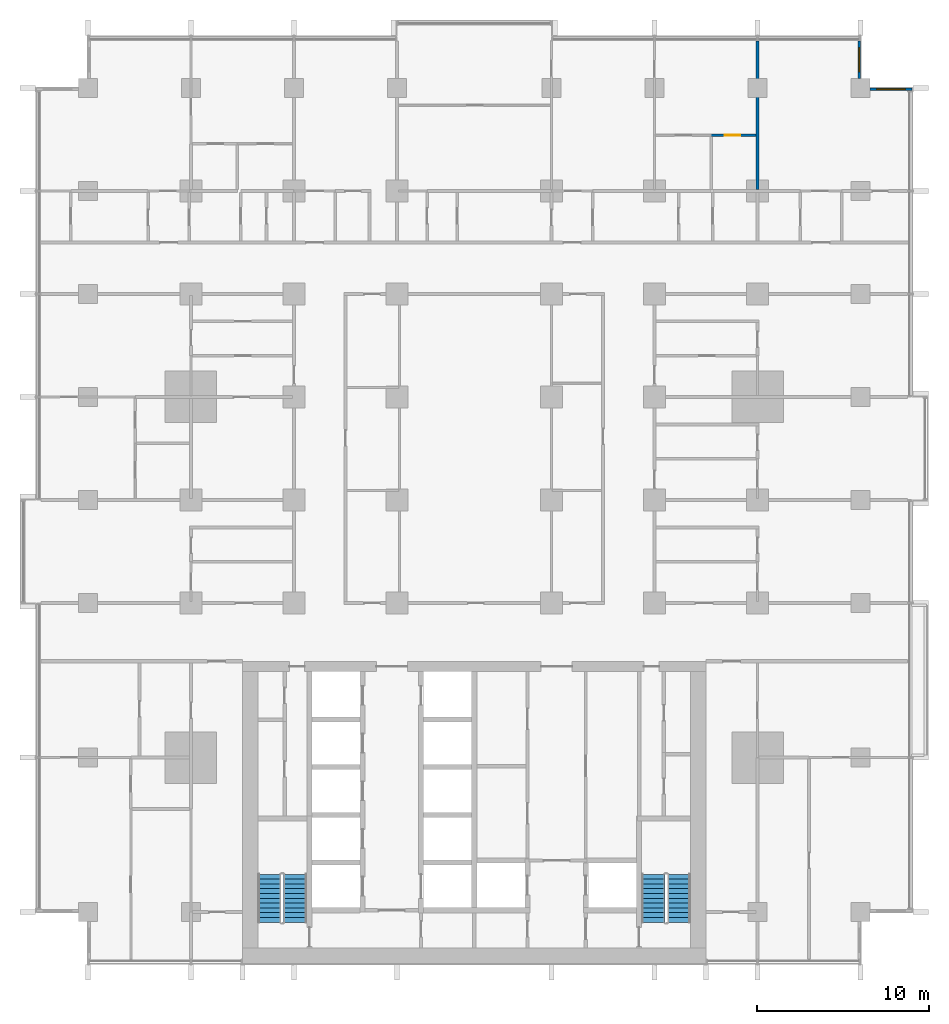
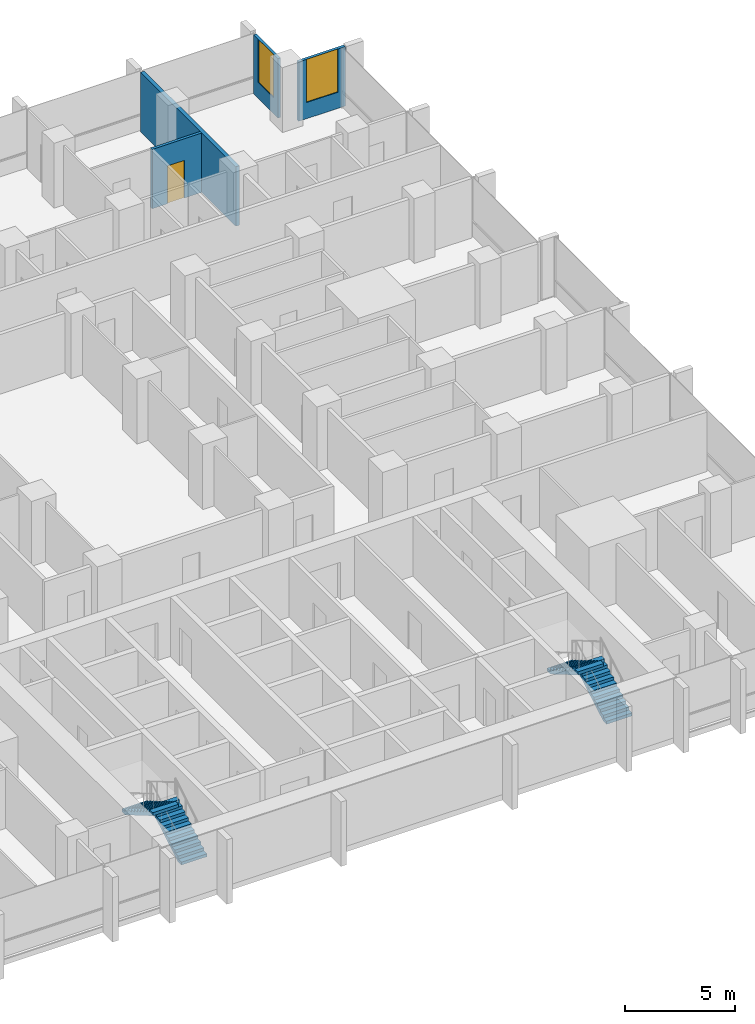
# One storey, part 13 of 18: 4 stair flights, 4 walls, 2 windows, 1 door, 3 openings, 2 elements without a shape of their own.
"""IFC4 building model written with IfcOpenShell, lengths in metres."""

import ifcopenshell
import ifcopenshell.guid

model = None  # the IFC model being written
_history = None  # IfcOwnerHistory: only IFC2X3 demands one
_inside = {}  # id of a spatial element -> (the spatial element, [elements in it])
_under = {}  # id of a project, library or spatial element -> (it, [spatial elements below it])
_declared = {}  # id of a project -> (the project, [libraries it declares])
_typed = {}  # id of a type object -> (the type object, [elements of that type])
_made_of = {}  # id of a material, layer set ... -> (it, [elements and type objects made of it])


def new_model(schema):
    """Start an empty IFC model of exactly this schema.

    Asked for "IFC4X3", IfcOpenShell would pick the latest addendum, in which some entities
    have other attributes; the version numbers below select the first issue.
    IFC2X3 requires an IfcOwnerHistory on every rooted entity: one is made here for all.
    """
    global model, _history
    if schema == "IFC4X3":
        model = ifcopenshell.file(schema_version=(4, 3, 0, 0))
    else:
        model = ifcopenshell.file(schema=schema)
    _inside.clear()
    _under.clear()
    _declared.clear()
    _typed.clear()
    _made_of.clear()
    _history = None
    if model.schema == "IFC2X3":
        org = make("IfcOrganization", Name="unknown")
        user = make(
            "IfcPersonAndOrganization",
            ThePerson=make("IfcPerson", FamilyName="unknown"),
            TheOrganization=org,
        )
        app = make(
            "IfcApplication",
            ApplicationDeveloper=org,
            Version="unknown",
            ApplicationFullName="unknown",
            ApplicationIdentifier="unknown",
        )
        _history = make(
            "IfcOwnerHistory",
            OwningUser=user,
            OwningApplication=app,
            ChangeAction="ADDED",
            CreationDate=0,
        )
    return model


def make(cls, **values):
    """One entity of the class cls with the attributes given. An attribute that is None is left unset."""
    return model.create_entity(
        cls, **{name: value for name, value in values.items() if value is not None}
    )


def rooted(cls, **values):
    """An entity with a GlobalId (a new one), such as an element, a storey or a relation."""
    return make(cls, GlobalId=ifcopenshell.guid.new(), OwnerHistory=_history, **values)


def si_unit(unit_type, name, prefix=None):
    """IfcSIUnit, for example si_unit("LENGTHUNIT", "METRE", prefix="MILLI")."""
    return make("IfcSIUnit", UnitType=unit_type, Prefix=prefix, Name=name)


def assignment(units):
    """IfcUnitAssignment: the units of a project."""
    return None if units is None else make("IfcUnitAssignment", Units=units)


def point(xyz):
    """IfcCartesianPoint."""
    return None if xyz is None else make("IfcCartesianPoint", Coordinates=xyz)


def direction(xyz):
    """IfcDirection."""
    return None if xyz is None else make("IfcDirection", DirectionRatios=xyz)


def frame(location, z_axis=None, x_axis=None):
    """IfcAxis2Placement3D, a coordinate frame: its origin and axes. An axis left out is left unset."""
    return make(
        "IfcAxis2Placement3D",
        Location=point(location),
        Axis=direction(z_axis),
        RefDirection=direction(x_axis),
    )


def frame_2d(location, x_axis=None):
    """IfcAxis2Placement2D, a coordinate frame in the plane: its origin and x axis."""
    return make(
        "IfcAxis2Placement2D", Location=point(location), RefDirection=direction(x_axis)
    )


def origin():
    """The frame at (0, 0, 0) with its axes left unset."""
    return frame((0.0, 0.0, 0.0))


def place(relative_to, where):
    """IfcLocalPlacement: puts the frame where relative to a parent placement (None: the world)."""
    return make(
        "IfcLocalPlacement", PlacementRelTo=relative_to, RelativePlacement=where
    )


def context(
    kind, dimensions, precision=None, world=None, true_north=None, identifier=None
):
    """IfcGeometricRepresentationContext, for example the 3D "Model" context."""
    return make(
        "IfcGeometricRepresentationContext",
        ContextIdentifier=identifier,
        ContextType=kind,
        CoordinateSpaceDimension=dimensions,
        Precision=precision,
        WorldCoordinateSystem=world,
        TrueNorth=true_north,
    )


def subcontext(parent, identifier, kind, view, scale=None):
    """IfcGeometricRepresentationSubContext, for example "Body" below "Model"."""
    return make(
        "IfcGeometricRepresentationSubContext",
        ContextIdentifier=identifier,
        ContextType=kind,
        ParentContext=parent,
        TargetScale=scale,
        TargetView=view,
    )


def project(units=None, contexts=None):
    """IfcProject with its units and contexts."""
    return rooted(
        "IfcProject",
        Name="project",
        RepresentationContexts=contexts,
        UnitsInContext=assignment(units),
    )


def spatial(cls, under=None, at=None, **own):
    """A site, building, storey or space (cls), placed at a placement, below another one or the project."""
    s = rooted(cls, ObjectPlacement=at, **own)
    if under is not None:
        _under.setdefault(under.id(), (under, []))[1].append(s)
    return s


def polyline(points):
    """IfcPolyline through the points."""
    return make("IfcPolyline", Points=[point(p) for p in points])


def profile(cls, at=None, kind="AREA", **sizes):
    """A parametric profile (cls). Its sizes go by their IFC names, for example OverallWidth=200.0."""
    return make(cls, ProfileType=kind, Position=at, **sizes)


def rectangle(**sizes):
    """IfcRectangleProfileDef."""
    return profile("IfcRectangleProfileDef", **sizes)


def outline(outer, holes=None, kind="AREA"):
    """IfcArbitraryClosedProfileDef: a profile drawn as a closed curve; with holes, ...WithVoids."""
    if holes is None:
        return make("IfcArbitraryClosedProfileDef", ProfileType=kind, OuterCurve=outer)
    return make(
        "IfcArbitraryProfileDefWithVoids",
        ProfileType=kind,
        OuterCurve=outer,
        InnerCurves=holes,
    )


def extrude(swept, where, along, depth):
    """IfcExtrudedAreaSolid: the profile swept, set in the frame where, extruded along a direction by depth."""
    return make(
        "IfcExtrudedAreaSolid",
        SweptArea=swept,
        Position=where,
        ExtrudedDirection=direction(along),
        Depth=depth,
    )


def shape(context_of_items, identifier, shape_type, items):
    """IfcShapeRepresentation: the items that make up one representation, for example the "Body"."""
    return make(
        "IfcShapeRepresentation",
        ContextOfItems=context_of_items,
        RepresentationIdentifier=identifier,
        RepresentationType=shape_type,
        Items=items,
    )


def material(Name=None, Category=None):
    """IfcMaterial."""
    return make("IfcMaterial", Name=Name, Category=Category)


def layer(
    of_material, thickness, ventilated=None, Name=None, Category=None, Priority=None
):
    """IfcMaterialLayer: one layer of a wall or slab, of a material (None: an air gap)."""
    return make(
        "IfcMaterialLayer",
        Material=of_material,
        LayerThickness=thickness,
        IsVentilated=ventilated,
        Name=Name,
        Category=Category,
        Priority=Priority,
    )


def layer_set(layers, Name=None):
    """IfcMaterialLayerSet."""
    return make("IfcMaterialLayerSet", MaterialLayers=layers, LayerSetName=Name)


def made_of(thing, what):
    """Note that an element or type object is made of a material, layer set ...; save() writes the relation."""
    if what is not None:
        _made_of.setdefault(what.id(), (what, []))[1].append(thing)
    return thing


def type_object(cls, material=None, **own):
    """A type object (cls), such as IfcWallType, which elements share."""
    return made_of(rooted(cls, **own), material)


def element(
    cls,
    number,
    at=None,
    inside=None,
    cuts=None,
    type_object=None,
    material=None,
    context=None,
    identifier="Body",
    shape_type=None,
    held_by="IfcProductDefinitionShape",
    body=None,
    shapes=None,
    **own,
):
    """One element of the class cls, such as IfcWall. Its Tag is "e" and its number.

    at: its placement. inside: the storey or other place that contains it. cuts: it is an
    opening in that element (IfcRelVoidsElement). A single representation is given by context,
    identifier, shape_type and body (its items); several are given by shapes. held_by: the class
    of the entity that holds the representations. save() writes the other relations.
    """
    e = rooted(cls, Tag="e%d" % number, ObjectPlacement=at, **own)
    if body is not None:
        shapes = [shape(context, identifier, shape_type, body)]
    if shapes is not None:
        e.Representation = make(held_by, Representations=shapes)
    if inside is not None:
        _inside.setdefault(inside.id(), (inside, []))[1].append(e)
    if cuts is not None:
        rooted(
            "IfcRelVoidsElement", RelatingBuildingElement=cuts, RelatedOpeningElement=e
        )
    if type_object is not None:
        _typed.setdefault(type_object.id(), (type_object, []))[1].append(e)
    return made_of(e, material)


def fill(opening, filler):
    """IfcRelFillsElement: the door or window that sits in an opening."""
    return rooted(
        "IfcRelFillsElement",
        RelatingOpeningElement=opening,
        RelatedBuildingElement=filler,
    )


def aggregate(whole, parts):
    """IfcRelAggregates: a whole, such as a stair, and the parts it consists of."""
    return rooted("IfcRelAggregates", RelatingObject=whole, RelatedObjects=parts)


def save(model, path):
    """Write the relations noted so far, then the file.

    IfcRelAggregates (storeys below a building ...), IfcRelContainedInSpatialStructure (elements
    in a storey), IfcRelDefinesByType, IfcRelAssociatesMaterial and IfcRelDeclares: one each for
    every whole, place, type object, material and project.
    """
    for whole, parts in _under.values():
        aggregate(whole, parts)
    for where, things in _inside.values():
        rooted(
            "IfcRelContainedInSpatialStructure",
            RelatedElements=things,
            RelatingStructure=where,
        )
    for kind, things in _typed.values():
        rooted("IfcRelDefinesByType", RelatedObjects=things, RelatingType=kind)
    for what, things in _made_of.values():
        rooted("IfcRelAssociatesMaterial", RelatedObjects=things, RelatingMaterial=what)
    for by, libraries in _declared.values():
        rooted("IfcRelDeclares", RelatingContext=by, RelatedDefinitions=libraries)
    model.write(path)


model = new_model("IFC4")

# Units and contexts
model_context = context("Model", 3, precision=1e-05, world=origin(), true_north=direction((0.0, 1.0)))
body_context = subcontext(model_context, "Body", "Model", "MODEL_VIEW")
ifc_project = project(units=[si_unit("LENGTHUNIT", "METRE"), si_unit("AREAUNIT", "SQUARE_METRE"), si_unit("VOLUMEUNIT", "CUBIC_METRE"), si_unit("PLANEANGLEUNIT", "RADIAN"), si_unit("MASSUNIT", "GRAM", prefix="KILO")], contexts=[model_context])

# Site, building, storey
site_placement = place(None, origin())
site = spatial("IfcSite", under=ifc_project, at=site_placement, CompositionType="ELEMENT")
building_placement = place(site_placement, origin())
building = spatial("IfcBuilding", under=site, at=building_placement, Name="Finial Court Residences", CompositionType="ELEMENT")
storey_placement = place(building_placement, frame((0.0, 0.0, 50.5)))
storey = spatial("IfcBuildingStorey", under=building, at=storey_placement, Name="L11", CompositionType="ELEMENT", Elevation=50.5)

# Wall
ifc_material_1 = material(Name="Gypsum board")
ifc_layer_1 = layer(ifc_material_1, 0.02490234375)
ifc_material_2 = material(Name="Acoustic mineral wool in double frame")
ifc_layer_2 = layer(ifc_material_2, 0.14990234375)
ifc_layer_3 = layer(ifc_material_1, 0.02490234375)
ifc_layer_set_1 = layer_set([ifc_layer_1, ifc_layer_2, ifc_layer_3], Name="Acoustic party wall 200, 1 hour")
wall_type_1 = type_object("IfcWallType", Name="Acoustic party wall 200, 1 hour", PredefinedType="PARTITIONING", material=ifc_layer_set_1)
wall_1_placement = place(storey_placement, frame((16.5, 19.574951171875, 0.0), z_axis=(0.0, 0.0, 1.0), x_axis=(0.0, 1.0, 0.0)))
element("IfcWall", 1, at=wall_1_placement, inside=storey, type_object=wall_type_1, Name="Partition L11-101", PredefinedType="PARTITIONING", context=body_context, shape_type="SweptSolid", body=[
    extrude(rectangle(XDim=8.675048828125, YDim=0.199951171875, at=frame_2d((4.33740234375, 0.0))), origin(), (0.0, 0.0, 1.0), 3.300048828125),
])

# Wall, opening, door
ifc_material_3 = material(Name="Moisture-resistant gypsum board")
ifc_layer_4 = layer(ifc_material_3, 0.012451171875)
ifc_material_4 = material(Name="Mineral wool in light-gauge frame")
ifc_layer_5 = layer(ifc_material_4, 0.125)
ifc_layer_6 = layer(ifc_material_3, 0.012451171875)
ifc_layer_set_2 = layer_set([ifc_layer_4, ifc_layer_5, ifc_layer_6], Name="Gypsum board wet-area partition 150")
wall_type_2 = type_object("IfcWallType", Name="Gypsum board wet-area partition 150", PredefinedType="PARTITIONING", material=ifc_layer_set_2)
wall_2_placement = place(storey_placement, frame((13.800048828125, 22.75, 0.0), z_axis=(0.0, 0.0, 1.0), x_axis=(1.0, 0.0, 0.0)))
wall_2 = element("IfcWall", 2, at=wall_2_placement, inside=storey, type_object=wall_type_2, Name="Partition L11-053", PredefinedType="PARTITIONING", context=body_context, shape_type="SweptSolid", body=[
    extrude(rectangle(XDim=2.599853515625, YDim=0.14990234375, at=frame_2d((1.2998046875, 0.0))), origin(), (0.0, 0.0, 1.0), 3.300048828125),
])
opening_1_placement = place(wall_2_placement, frame((0.800048828125, 0.0, 0.0)))
opening_1 = element("IfcOpeningElement", 3, at=opening_1_placement, cuts=wall_2, Name="Opening L11-D032", PredefinedType="OPENING", context=body_context, shape_type="SweptSolid", body=[
    extrude(rectangle(XDim=0.89990234375, YDim=2.10009765625, at=frame_2d((0.449951171875, 1.050048828125))), frame((0.0, 0.0849609375, 0.0), z_axis=(0.0, -1.0, 0.0), x_axis=(1.0, 0.0, 0.0)), (0.0, 0.0, 1.0), 0.169921875),
])
ifc_material_5 = material(Name="Timber door leaf in timber frame", Category="wood")
door_type = type_object("IfcDoorType", Name="Door set 900 x 2100", OperationType="SINGLE_SWING_LEFT", PredefinedType="DOOR", material=ifc_material_5)
door_placement = place(opening_1_placement, origin())
door = element("IfcDoor", 4, at=door_placement, inside=storey, type_object=door_type, Name="Door L11-D032", OperationType="SINGLE_SWING_RIGHT", OverallHeight=2.10009765625, OverallWidth=0.89990234375, PredefinedType="DOOR", context=body_context, shape_type="SweptSolid", body=[
    extrude(rectangle(XDim=0.89990234375, YDim=2.10009765625, at=frame_2d((0.449951171875, 1.050048828125))), frame((0.0, 0.02490234375, 0.0), z_axis=(0.0, -1.0, 0.0), x_axis=(1.0, 0.0, 0.0)), (0.0, 0.0, 1.0), 0.050048828125),
])
fill(opening_1, door)

# Wall, opening, window
ifc_material_6 = material(Name="Natural limestone", Category="masonry")
ifc_layer_7 = layer(ifc_material_6, 0.14990234375)
ifc_layer_set_3 = layer_set([ifc_layer_7], Name="Limestone clad wall 150")
wall_type_3 = type_object("IfcWallType", Name="Limestone clad wall 150", PredefinedType="SOLIDWALL", material=ifc_layer_set_3)
wall_3_placement = place(storey_placement, frame((22.425048828125, 28.25, 0.0), z_axis=(0.0, 0.0, 1.0), x_axis=(0.0, -1.0, 0.0)))
wall_3 = element("IfcWall", 5, at=wall_3_placement, inside=storey, type_object=wall_type_3, Name="E-L11-NWE18", PredefinedType="SOLIDWALL", context=body_context, shape_type="SweptSolid", body=[
    extrude(rectangle(XDim=2.199951171875, YDim=0.14990234375, at=frame_2d((1.10009765625, 0.0))), origin(), (0.0, 0.0, 1.0), 3.300048828125),
])
opening_2_placement = place(wall_3_placement, frame((0.39990234375, 0.0, 0.89990234375)))
opening_2 = element("IfcOpeningElement", 6, at=opening_2_placement, cuts=wall_3, Name="Opening WE11-07", PredefinedType="OPENING", context=body_context, shape_type="SweptSolid", body=[
    extrude(rectangle(XDim=1.39990234375, YDim=2.39990234375, at=frame_2d((0.699951171875, 1.199951171875))), frame((0.0, 0.0849609375, 0.0), z_axis=(0.0, -1.0, 0.0), x_axis=(1.0, 0.0, 0.0)), (0.0, 0.0, 1.0), 0.169921875),
])
ifc_material_7 = material(Name="Clear low-e glass", Category="glass")
window_type_1 = type_object("IfcWindowType", Name="Corner window 1400 x 2400", PartitioningType="SINGLE_PANEL", PredefinedType="WINDOW", material=ifc_material_7)
window_1_placement = place(opening_2_placement, origin())
window_1 = element("IfcWindow", 7, at=window_1_placement, inside=storey, type_object=window_type_1, Name="E-L11-NWE18-W1", OverallHeight=2.39990234375, OverallWidth=1.39990234375, PartitioningType="SINGLE_PANEL", PredefinedType="WINDOW", context=body_context, shape_type="SweptSolid", body=[
    extrude(rectangle(XDim=1.39990234375, YDim=2.39990234375, at=frame_2d((0.699951171875, 1.199951171875))), frame((0.0, 0.030029296875, 0.0), z_axis=(0.0, -1.0, 0.0), x_axis=(1.0, 0.0, 0.0)), (0.0, 0.0, 1.0), 0.06005859375),
])
fill(opening_2, window_1)

wall_4_placement = place(storey_placement, frame((23.050048828125, 25.425048828125, 0.0), z_axis=(0.0, 0.0, 1.0), x_axis=(1.0, 0.0, 0.0)))
wall_4 = element("IfcWall", 8, at=wall_4_placement, inside=storey, type_object=wall_type_3, Name="E-L11-NWN19", PredefinedType="SOLIDWALL", context=body_context, shape_type="SweptSolid", body=[
    extrude(rectangle(XDim=2.449951171875, YDim=0.14990234375, at=frame_2d((1.22509765625, 0.0))), origin(), (0.0, 0.0, 1.0), 3.300048828125),
])
opening_3_placement = place(wall_4_placement, frame((0.39990234375, 0.0, 0.89990234375)))
opening_3 = element("IfcOpeningElement", 9, at=opening_3_placement, cuts=wall_4, Name="Opening WE11-08", PredefinedType="OPENING", context=body_context, shape_type="SweptSolid", body=[
    extrude(rectangle(XDim=1.64990234375, YDim=2.39990234375, at=frame_2d((0.824951171875, 1.199951171875))), frame((0.0, 0.0849609375, 0.0), z_axis=(0.0, -1.0, 0.0), x_axis=(1.0, 0.0, 0.0)), (0.0, 0.0, 1.0), 0.169921875),
])
window_type_2 = type_object("IfcWindowType", Name="Corner window 1650 x 2400", PartitioningType="SINGLE_PANEL", PredefinedType="WINDOW", material=ifc_material_7)
window_2_placement = place(opening_3_placement, origin())
window_2 = element("IfcWindow", 10, at=window_2_placement, inside=storey, type_object=window_type_2, Name="E-L11-NWN19-W1", OverallHeight=2.39990234375, OverallWidth=1.64990234375, PartitioningType="SINGLE_PANEL", PredefinedType="WINDOW", context=body_context, shape_type="SweptSolid", body=[
    extrude(rectangle(XDim=1.64990234375, YDim=2.39990234375, at=frame_2d((0.824951171875, 1.199951171875))), frame((0.0, 0.030029296875, 0.0), z_axis=(0.0, -1.0, 0.0), x_axis=(1.0, 0.0, 0.0)), (0.0, 0.0, 1.0), 0.06005859375),
])
fill(opening_3, window_2)

# Stair, stair flights
ifc_material_8 = material(Name="Concrete C50/60", Category="concrete")
stair_type = type_object("IfcStairType", Name="Exit stair 22 risers of 163.6 mm", PredefinedType="HALF_TURN_STAIR", material=ifc_material_8)
stair_1_placement = place(storey_placement, origin())
stair_1 = element("IfcStair", 11, at=stair_1_placement, inside=storey, type_object=stair_type, Name="L11 Exit stair ST-1", PredefinedType="HALF_TURN_STAIR")
stair_flight_type = type_object("IfcStairFlightType", Name="Exit stair flight", PredefinedType="STRAIGHT", material=ifc_material_8)
stair_flight_1_placement = place(storey_placement, frame((-10.425048828125, -23.10009765625, 0.0), z_axis=(0.0, 0.0, 1.0), x_axis=(0.0, 1.0, 0.0)))
stair_flight_1 = element("IfcStairFlight", 12, at=stair_flight_1_placement, type_object=stair_flight_type, Name="ST-1 flight 1", NumberOfRisers=11, NumberOfTreads=10, PredefinedType="STRAIGHT", RiserHeight=0.163636364, TreadLength=0.28, context=body_context, shape_type="SweptSolid", body=[
    extrude(outline(polyline([(0.0, 0.0), (0.0, 0.16357421875), (0.280029296875, 0.16357421875), (0.280029296875, 0.327392578125), (0.56005859375, 0.327392578125), (0.56005859375, 0.490966796875), (0.840087890625, 0.490966796875), (0.840087890625, 0.654541015625), (1.1201171875, 0.654541015625), (1.1201171875, 0.818115234375), (1.39990234375, 0.818115234375), (1.39990234375, 0.98193359375), (1.679931640625, 0.98193359375), (1.679931640625, 1.1455078125), (1.9599609375, 1.1455078125), (1.9599609375, 1.30908203125), (2.239990234375, 1.30908203125), (2.239990234375, 1.47265625), (2.52001953125, 1.47265625), (2.52001953125, 1.636474609375), (2.800048828125, 1.636474609375), (2.800048828125, 1.800048828125), (2.800048828125, 1.462646484375), (0.297119140625, 0.0), (0.0, 0.0)])), frame((0.0, 0.675048828125, 0.0), z_axis=(0.0, -1.0, 0.0), x_axis=(1.0, 0.0, 0.0)), (0.0, 0.0, 1.0), 1.35009765625),
])
stair_flight_2_placement = place(storey_placement, frame((-11.925048828125, -20.300048828125, 1.800048828125), z_axis=(0.0, 0.0, 1.0), x_axis=(0.0, -1.0, 0.0)))
stair_flight_2 = element("IfcStairFlight", 13, at=stair_flight_2_placement, type_object=stair_flight_type, Name="ST-1 flight 2", NumberOfRisers=11, NumberOfTreads=10, PredefinedType="STRAIGHT", RiserHeight=0.163636364, TreadLength=0.28, context=body_context, shape_type="SweptSolid", body=[
    extrude(outline(polyline([(0.0, 0.0), (0.0, 0.16357421875), (0.280029296875, 0.16357421875), (0.280029296875, 0.327392578125), (0.56005859375, 0.327392578125), (0.56005859375, 0.490966796875), (0.840087890625, 0.490966796875), (0.840087890625, 0.654541015625), (1.1201171875, 0.654541015625), (1.1201171875, 0.818115234375), (1.39990234375, 0.818115234375), (1.39990234375, 0.98193359375), (1.679931640625, 0.98193359375), (1.679931640625, 1.1455078125), (1.9599609375, 1.1455078125), (1.9599609375, 1.30908203125), (2.239990234375, 1.30908203125), (2.239990234375, 1.47265625), (2.52001953125, 1.47265625), (2.52001953125, 1.636474609375), (2.800048828125, 1.636474609375), (2.800048828125, 1.800048828125), (2.800048828125, 1.462646484375), (0.297119140625, 0.0), (0.0, 0.0)])), frame((0.0, 0.675048828125, 0.0), z_axis=(0.0, -1.0, 0.0), x_axis=(1.0, 0.0, 0.0)), (0.0, 0.0, 1.0), 1.35009765625),
])
aggregate(stair_1, [stair_flight_1, stair_flight_2])

stair_2_placement = place(storey_placement, origin())
stair_2 = element("IfcStair", 14, at=stair_2_placement, inside=storey, type_object=stair_type, Name="L11 Exit stair ST-2", PredefinedType="HALF_TURN_STAIR")
stair_flight_3_placement = place(storey_placement, frame((11.925048828125, -23.10009765625, 0.0), z_axis=(0.0, 0.0, 1.0), x_axis=(0.0, 1.0, 0.0)))
stair_flight_3 = element("IfcStairFlight", 15, at=stair_flight_3_placement, type_object=stair_flight_type, Name="ST-2 flight 1", NumberOfRisers=11, NumberOfTreads=10, PredefinedType="STRAIGHT", RiserHeight=0.163636364, TreadLength=0.28, context=body_context, shape_type="SweptSolid", body=[
    extrude(outline(polyline([(0.0, 0.0), (0.0, 0.16357421875), (0.280029296875, 0.16357421875), (0.280029296875, 0.327392578125), (0.56005859375, 0.327392578125), (0.56005859375, 0.490966796875), (0.840087890625, 0.490966796875), (0.840087890625, 0.654541015625), (1.1201171875, 0.654541015625), (1.1201171875, 0.818115234375), (1.39990234375, 0.818115234375), (1.39990234375, 0.98193359375), (1.679931640625, 0.98193359375), (1.679931640625, 1.1455078125), (1.9599609375, 1.1455078125), (1.9599609375, 1.30908203125), (2.239990234375, 1.30908203125), (2.239990234375, 1.47265625), (2.52001953125, 1.47265625), (2.52001953125, 1.636474609375), (2.800048828125, 1.636474609375), (2.800048828125, 1.800048828125), (2.800048828125, 1.462646484375), (0.297119140625, 0.0), (0.0, 0.0)])), frame((0.0, 0.675048828125, 0.0), z_axis=(0.0, -1.0, 0.0), x_axis=(1.0, 0.0, 0.0)), (0.0, 0.0, 1.0), 1.35009765625),
])
stair_flight_4_placement = place(storey_placement, frame((10.425048828125, -20.300048828125, 1.800048828125), z_axis=(0.0, 0.0, 1.0), x_axis=(0.0, -1.0, 0.0)))
stair_flight_4 = element("IfcStairFlight", 16, at=stair_flight_4_placement, type_object=stair_flight_type, Name="ST-2 flight 2", NumberOfRisers=11, NumberOfTreads=10, PredefinedType="STRAIGHT", RiserHeight=0.163636364, TreadLength=0.28, context=body_context, shape_type="SweptSolid", body=[
    extrude(outline(polyline([(0.0, 0.0), (0.0, 0.16357421875), (0.280029296875, 0.16357421875), (0.280029296875, 0.327392578125), (0.56005859375, 0.327392578125), (0.56005859375, 0.490966796875), (0.840087890625, 0.490966796875), (0.840087890625, 0.654541015625), (1.1201171875, 0.654541015625), (1.1201171875, 0.818115234375), (1.39990234375, 0.818115234375), (1.39990234375, 0.98193359375), (1.679931640625, 0.98193359375), (1.679931640625, 1.1455078125), (1.9599609375, 1.1455078125), (1.9599609375, 1.30908203125), (2.239990234375, 1.30908203125), (2.239990234375, 1.47265625), (2.52001953125, 1.47265625), (2.52001953125, 1.636474609375), (2.800048828125, 1.636474609375), (2.800048828125, 1.800048828125), (2.800048828125, 1.462646484375), (0.297119140625, 0.0), (0.0, 0.0)])), frame((0.0, 0.675048828125, 0.0), z_axis=(0.0, -1.0, 0.0), x_axis=(1.0, 0.0, 0.0)), (0.0, 0.0, 1.0), 1.35009765625),
])
aggregate(stair_2, [stair_flight_3, stair_flight_4])

save(model, "model.ifc")
